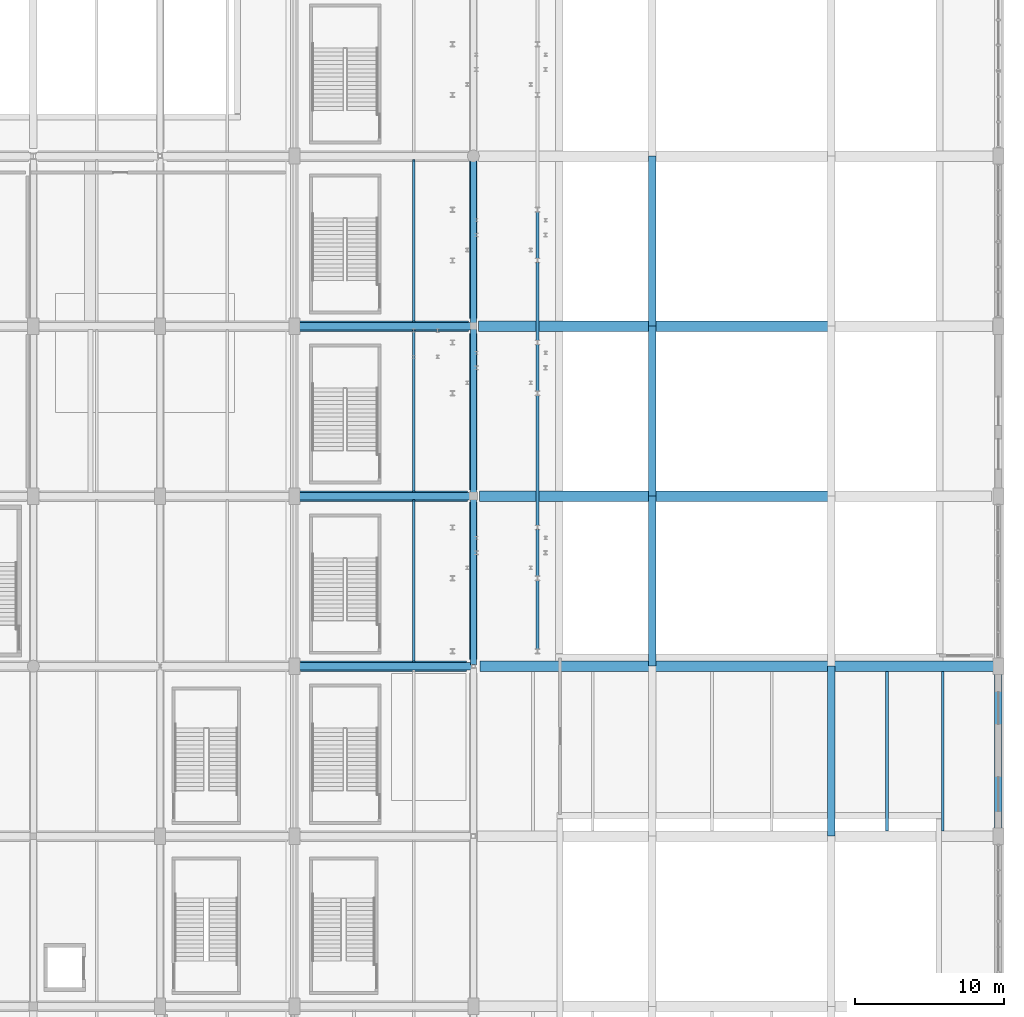
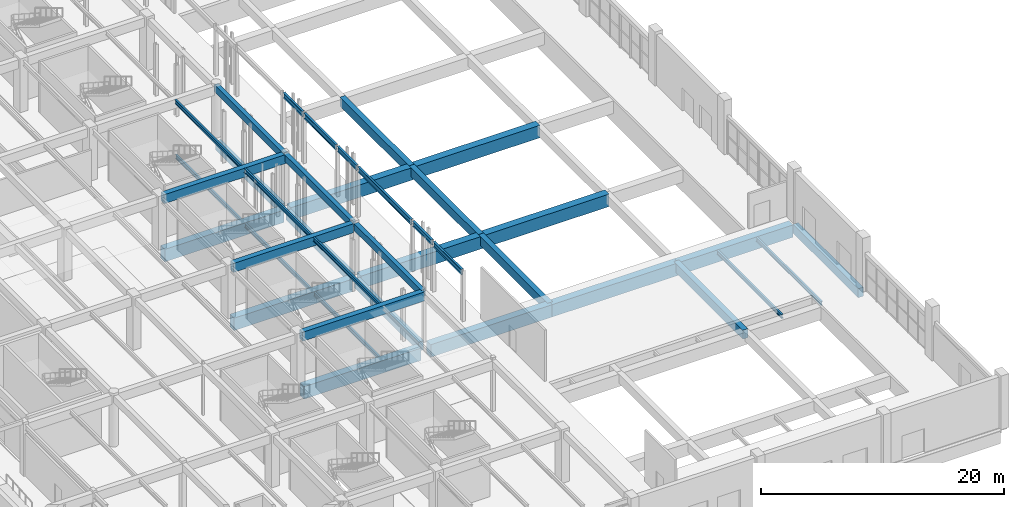
# One storey, part 61 of 113: 38 beams.
"""IFC4 building model written with IfcOpenShell, lengths in metres."""

from ifc_helpers import new_model, si_unit, direction, frame, origin, origin_2d, place, context, subcontext, project, spatial, rectangle, i_section, extrude, material, material_profile, profile_set, type_object, element, save


model = new_model("IFC4")

# Units and contexts
model_context = context("Model", 3, precision=1e-05, world=origin(), true_north=direction((0.0, 1.0)))
body_context = subcontext(model_context, "Body", "Model", "MODEL_VIEW")
ifc_project = project(units=[si_unit("LENGTHUNIT", "METRE"), si_unit("AREAUNIT", "SQUARE_METRE"), si_unit("VOLUMEUNIT", "CUBIC_METRE"), si_unit("PLANEANGLEUNIT", "RADIAN"), si_unit("MASSUNIT", "GRAM", prefix="KILO"), si_unit("POWERUNIT", "WATT"), si_unit("THERMODYNAMICTEMPERATUREUNIT", "KELVIN")], contexts=[model_context])

# Site, building, storey
site_placement = place(None, origin())
site = spatial("IfcSite", under=ifc_project, at=site_placement, CompositionType="ELEMENT")
building_placement = place(site_placement, origin())
building = spatial("IfcBuilding", under=site, at=building_placement, Name="Kelmbourne Parkland Aquatics Centre", CompositionType="ELEMENT")
storey_placement = place(building_placement, origin())
storey = spatial("IfcBuildingStorey", under=building, at=storey_placement, Name="L00", CompositionType="ELEMENT", Elevation=0.0)

# Beams
ifc_material_1 = material(Name="Concrete C40/50", Category="concrete")
ifc_material_profile_1 = material_profile(ifc_material_1, rectangle(XDim=0.5, YDim=0.89990234375, at=origin_2d()), Name="RC 500x900")
ifc_profile_set_1 = profile_set([ifc_material_profile_1], Name="Concrete C40/50")
beam_type_1 = type_object("IfcBeamType", Name="BM-G03", PredefinedType="BEAM", material=ifc_profile_set_1)
beam_1_placement = place(storey_placement, frame((140.0, 35.455078125, -0.72998046875), z_axis=(0.0, 1.0, 0.0), x_axis=(-1.0, 0.0, 0.0)))
element("IfcBeam", 1, at=beam_1_placement, inside=storey, type_object=beam_type_1, Name="Primary girder 05-06 Grid Q (L00)", PredefinedType="BEAM", context=body_context, shape_type="SweptSolid", body=[
    extrude(rectangle(XDim=0.5, YDim=0.89990234375, at=origin_2d()), origin(), (0.0, 0.0, 1.0), 10.5400390625),
])
beam_2_placement = place(storey_placement, frame((140.0, 46.804931640625, -0.72998046875), z_axis=(0.0, 1.0, 0.0), x_axis=(-1.0, 0.0, 0.0)))
element("IfcBeam", 2, at=beam_2_placement, inside=storey, type_object=beam_type_1, Name="Primary girder 06-08 Grid Q (L00)", PredefinedType="BEAM", context=body_context, shape_type="SweptSolid", body=[
    extrude(rectangle(XDim=0.5, YDim=0.89990234375, at=origin_2d()), origin(), (0.0, 0.0, 1.0), 10.489990234375),
])
beam_3_placement = place(storey_placement, frame((140.0, 58.304931640625, -0.72998046875), z_axis=(0.0, 1.0, 0.0), x_axis=(-1.0, 0.0, 0.0)))
element("IfcBeam", 3, at=beam_3_placement, inside=storey, type_object=beam_type_1, Name="Primary girder 08-10 Grid Q (L00)", PredefinedType="BEAM", context=body_context, shape_type="SweptSolid", body=[
    extrude(rectangle(XDim=0.5, YDim=0.89990234375, at=origin_2d()), origin(), (0.0, 0.0, 1.0), 10.565185546875),
])
beam_4_placement = place(storey_placement, frame((152.0, 35.0, -0.72998046875), z_axis=(0.0, 1.0, 0.0), x_axis=(-1.0, 0.0, 0.0)))
element("IfcBeam", 4, at=beam_4_placement, inside=storey, type_object=beam_type_1, Name="Primary girder 05-06 Grid R (L00)", PredefinedType="BEAM", context=body_context, shape_type="SweptSolid", body=[
    extrude(rectangle(XDim=0.5, YDim=0.89990234375, at=origin_2d()), origin(), (0.0, 0.0, 1.0), 11.39990234375),
])
beam_5_placement = place(storey_placement, frame((152.0, 46.39990234375, -0.72998046875), z_axis=(0.0, 1.0, 0.0), x_axis=(-1.0, 0.0, 0.0)))
element("IfcBeam", 5, at=beam_5_placement, inside=storey, type_object=beam_type_1, Name="Primary girder 06-08 Grid R (L00)", PredefinedType="BEAM", context=body_context, shape_type="SweptSolid", body=[
    extrude(rectangle(XDim=0.5, YDim=0.89990234375, at=origin_2d()), origin(), (0.0, 0.0, 1.0), 11.400146484375),
])
for number, where, z_axis, x_axis, name in (
    (6, (152.0, 57.800048828125, -0.72998046875), (0.0, 1.0, 0.0), (-1.0, 0.0, 0.0), "Primary girder 08-10 Grid R (L00)"),
    (7, (164.0, 23.60009765625, -0.72998046875), (0.0, 1.0, 0.0), (-1.0, 0.0, 0.0), "Primary girder 04-05 Grid S (L00)"),
):
    element("IfcBeam", number, at=place(storey_placement, frame(where, z_axis=z_axis, x_axis=x_axis)), inside=storey, type_object=beam_type_1, Name=name, PredefinedType="BEAM", context=body_context, shape_type="SweptSolid", body=[
        extrude(rectangle(XDim=0.5, YDim=0.89990234375, at=origin_2d()), origin(), (0.0, 0.0, 1.0), 11.39990234375),
    ])
beam_6_placement = place(storey_placement, frame((175.199951171875, 24.0048828125, -0.72998046875), z_axis=(0.0, 1.0, 0.0), x_axis=(-1.0, 0.0, 0.0)))
element("IfcBeam", 8, at=beam_6_placement, inside=storey, type_object=beam_type_1, Name="Primary girder 04-05 Grid T (L00)", PredefinedType="BEAM", context=body_context, shape_type="SweptSolid", body=[
    extrude(rectangle(XDim=0.5, YDim=0.89990234375, at=origin_2d()), origin(), (0.0, 0.0, 1.0), 10.715087890625),
])
beam_7_placement = place(storey_placement, frame((128.330078125, 35.0, 4.7099609375), z_axis=(1.0, 0.0, 0.0), x_axis=(0.0, 1.0, 0.0)))
element("IfcBeam", 9, at=beam_7_placement, inside=storey, type_object=beam_type_1, Name="Primary girder P-Q Grid 05 (L01)", PredefinedType="BEAM", context=body_context, shape_type="SweptSolid", body=[
    extrude(rectangle(XDim=0.5, YDim=0.89990234375, at=origin_2d()), origin(), (0.0, 0.0, 1.0), 11.58984375),
])
beam_8_placement = place(storey_placement, frame((128.330078125, 46.39990234375, 4.7099609375), z_axis=(1.0, 0.0, 0.0), x_axis=(0.0, 1.0, 0.0)))
element("IfcBeam", 10, at=beam_8_placement, inside=storey, type_object=beam_type_1, Name="Primary girder P-Q Grid 06 (L01)", PredefinedType="BEAM", context=body_context, shape_type="SweptSolid", body=[
    extrude(rectangle(XDim=0.5, YDim=0.89990234375, at=origin_2d()), origin(), (0.0, 0.0, 1.0), 11.43994140625),
])
beam_9_placement = place(storey_placement, frame((128.330078125, 57.800048828125, 4.7099609375), z_axis=(1.0, 0.0, 0.0), x_axis=(0.0, 1.0, 0.0)))
element("IfcBeam", 11, at=beam_9_placement, inside=storey, type_object=beam_type_1, Name="Primary girder P-Q Grid 08 (L01)", PredefinedType="BEAM", context=body_context, shape_type="SweptSolid", body=[
    extrude(rectangle(XDim=0.5, YDim=0.89990234375, at=origin_2d()), origin(), (0.0, 0.0, 1.0), 11.669921875),
])
ifc_material_profile_2 = material_profile(ifc_material_1, rectangle(XDim=0.39990234375, YDim=0.699951171875, at=origin_2d()), Name="RC 400x700")
ifc_profile_set_2 = profile_set([ifc_material_profile_2], Name="Concrete C40/50")
beam_type_2 = type_object("IfcBeamType", Name="BM-G05", PredefinedType="BEAM", material=ifc_profile_set_2)
beam_10_placement = place(storey_placement, frame((140.0, 35.080078125, 4.81005859375), z_axis=(0.0, 1.0, 0.0), x_axis=(-1.0, 0.0, 0.0)))
element("IfcBeam", 12, at=beam_10_placement, inside=storey, type_object=beam_type_2, Name="Primary girder 05-06 Grid Q (L01)", PredefinedType="BEAM", context=body_context, shape_type="SweptSolid", body=[
    extrude(rectangle(XDim=0.39990234375, YDim=0.699951171875, at=origin_2d()), origin(), (0.0, 0.0, 1.0), 11.08984375),
])
beam_11_placement = place(storey_placement, frame((140.0, 46.6298828125, 4.81005859375), z_axis=(0.0, 1.0, 0.0), x_axis=(-1.0, 0.0, 0.0)))
element("IfcBeam", 13, at=beam_11_placement, inside=storey, type_object=beam_type_2, Name="Primary girder 06-08 Grid Q (L01)", PredefinedType="BEAM", context=body_context, shape_type="SweptSolid", body=[
    extrude(rectangle(XDim=0.39990234375, YDim=0.699951171875, at=origin_2d()), origin(), (0.0, 0.0, 1.0), 11.170166015625),
])
beam_12_placement = place(storey_placement, frame((140.0, 57.800048828125, 4.81005859375), z_axis=(0.0, 1.0, 0.0), x_axis=(-1.0, 0.0, 0.0)))
element("IfcBeam", 14, at=beam_12_placement, inside=storey, type_object=beam_type_2, Name="Primary girder 08-10 Grid Q (L01)", PredefinedType="BEAM", context=body_context, shape_type="SweptSolid", body=[
    extrude(rectangle(XDim=0.39990234375, YDim=0.699951171875, at=origin_2d()), origin(), (0.0, 0.0, 1.0), 11.39990234375),
])
ifc_material_2 = material(Name="Concrete C50/60", Category="concrete")
ifc_material_profile_3 = material_profile(ifc_material_2, rectangle(XDim=0.699951171875, YDim=1.25, at=origin_2d()), Name="RC 700x1250")
ifc_profile_set_3 = profile_set([ifc_material_profile_3], Name="Concrete C50/60")
beam_type_3 = type_object("IfcBeamType", Name="BM-G08", PredefinedType="BEAM", material=ifc_profile_set_3)
beam_13_placement = place(storey_placement, frame((128.405029296875, 35.0, -0.905029296875), z_axis=(1.0, 0.0, 0.0), x_axis=(0.0, 1.0, 0.0)))
element("IfcBeam", 15, at=beam_13_placement, inside=storey, type_object=beam_type_3, Name="Primary girder P-Q Grid 05 (L00)", PredefinedType="BEAM", context=body_context, shape_type="SweptSolid", body=[
    extrude(rectangle(XDim=0.699951171875, YDim=1.25, at=origin_2d()), origin(), (0.0, 0.0, 1.0), 11.139892578125),
])
beam_14_placement = place(storey_placement, frame((140.455078125, 35.0, -0.905029296875), z_axis=(1.0, 0.0, 0.0), x_axis=(0.0, 1.0, 0.0)))
element("IfcBeam", 16, at=beam_14_placement, inside=storey, type_object=beam_type_3, Name="Primary girder Q-R Grid 05 (L00)", PredefinedType="BEAM", context=body_context, shape_type="SweptSolid", body=[
    extrude(rectangle(XDim=0.699951171875, YDim=1.25, at=origin_2d()), origin(), (0.0, 0.0, 1.0), 11.544921875),
])
beam_15_placement = place(storey_placement, frame((152.0, 35.0, -0.905029296875), z_axis=(1.0, 0.0, 0.0), x_axis=(0.0, 1.0, 0.0)))
element("IfcBeam", 17, at=beam_15_placement, inside=storey, type_object=beam_type_3, Name="Primary girder R-S Grid 05 (L00)", PredefinedType="BEAM", context=body_context, shape_type="SweptSolid", body=[
    extrude(rectangle(XDim=0.699951171875, YDim=1.25, at=origin_2d()), origin(), (0.0, 0.0, 1.0), 12.0),
])
beam_16_placement = place(storey_placement, frame((164.0, 35.0, -0.905029296875), z_axis=(1.0, 0.0, 0.0), x_axis=(0.0, 1.0, 0.0)))
element("IfcBeam", 18, at=beam_16_placement, inside=storey, type_object=beam_type_3, Name="Primary girder S-T Grid 05 (L00)", PredefinedType="BEAM", context=body_context, shape_type="SweptSolid", body=[
    extrude(rectangle(XDim=0.699951171875, YDim=1.25, at=origin_2d()), origin(), (0.0, 0.0, 1.0), 10.919921875),
])
beam_17_placement = place(storey_placement, frame((128.330078125, 46.39990234375, -0.905029296875), z_axis=(1.0, 0.0, 0.0), x_axis=(0.0, 1.0, 0.0)))
element("IfcBeam", 19, at=beam_17_placement, inside=storey, type_object=beam_type_3, Name="Primary girder P-Q Grid 06 (L00)", PredefinedType="BEAM", context=body_context, shape_type="SweptSolid", body=[
    extrude(rectangle(XDim=0.699951171875, YDim=1.25, at=origin_2d()), origin(), (0.0, 0.0, 1.0), 11.264892578125),
])
beam_18_placement = place(storey_placement, frame((140.405029296875, 46.39990234375, -0.905029296875), z_axis=(1.0, 0.0, 0.0), x_axis=(0.0, 1.0, 0.0)))
element("IfcBeam", 20, at=beam_18_placement, inside=storey, type_object=beam_type_3, Name="Primary girder Q-R Grid 06 (L00)", PredefinedType="BEAM", context=body_context, shape_type="SweptSolid", body=[
    extrude(rectangle(XDim=0.699951171875, YDim=1.25, at=origin_2d()), origin(), (0.0, 0.0, 1.0), 11.594970703125),
])
beam_19_placement = place(storey_placement, frame((152.0, 46.39990234375, -0.905029296875), z_axis=(1.0, 0.0, 0.0), x_axis=(0.0, 1.0, 0.0)))
element("IfcBeam", 21, at=beam_19_placement, inside=storey, type_object=beam_type_3, Name="Primary girder R-S Grid 06 (L00)", PredefinedType="BEAM", context=body_context, shape_type="SweptSolid", body=[
    extrude(rectangle(XDim=0.699951171875, YDim=1.25, at=origin_2d()), origin(), (0.0, 0.0, 1.0), 12.0),
])
beam_20_placement = place(storey_placement, frame((128.330078125, 57.800048828125, -0.905029296875), z_axis=(1.0, 0.0, 0.0), x_axis=(0.0, 1.0, 0.0)))
element("IfcBeam", 22, at=beam_20_placement, inside=storey, type_object=beam_type_3, Name="Primary girder P-Q Grid 08 (L00)", PredefinedType="BEAM", context=body_context, shape_type="SweptSolid", body=[
    extrude(rectangle(XDim=0.699951171875, YDim=1.25, at=origin_2d()), origin(), (0.0, 0.0, 1.0), 11.33984375),
])
beam_21_placement = place(storey_placement, frame((140.330078125, 57.800048828125, -0.905029296875), z_axis=(1.0, 0.0, 0.0), x_axis=(0.0, 1.0, 0.0)))
element("IfcBeam", 23, at=beam_21_placement, inside=storey, type_object=beam_type_3, Name="Primary girder Q-R Grid 08 (L00)", PredefinedType="BEAM", context=body_context, shape_type="SweptSolid", body=[
    extrude(rectangle(XDim=0.699951171875, YDim=1.25, at=origin_2d()), origin(), (0.0, 0.0, 1.0), 11.669921875),
])
beam_22_placement = place(storey_placement, frame((152.0, 57.800048828125, -0.905029296875), z_axis=(1.0, 0.0, 0.0), x_axis=(0.0, 1.0, 0.0)))
element("IfcBeam", 24, at=beam_22_placement, inside=storey, type_object=beam_type_3, Name="Primary girder R-S Grid 08 (L00)", PredefinedType="BEAM", context=body_context, shape_type="SweptSolid", body=[
    extrude(rectangle(XDim=0.699951171875, YDim=1.25, at=origin_2d()), origin(), (0.0, 0.0, 1.0), 12.0),
])
ifc_material_3 = material(Name="Structural steel AS/NZS 3679.1 Grade 300", Category="steel")
ifc_material_profile_4 = material_profile(ifc_material_3, i_section(OverallWidth=0.177978515625, OverallDepth=0.406005859375, WebThickness=0.0078125, FlangeThickness=0.0126953125, at=origin_2d()), Name="410UB59.7")
ifc_profile_set_4 = profile_set([ifc_material_profile_4], Name="Structural steel AS/NZS 3679.1 Grade 300")
beam_type_4 = type_object("IfcBeamType", Name="BM-J01", PredefinedType="JOIST", material=ifc_profile_set_4)
for number, where, z_axis, x_axis, name in (
    (25, (136.0, 35.342041015625, -0.48291015625), (0.0, 1.0, 0.0), (-1.0, 0.0, 0.0), "Secondary floor joist P-Q/05-06 #2 (L00)"),
    (26, (136.0, 46.741943359375, -0.48291015625), (0.0, 1.0, 0.0), (-1.0, 0.0, 0.0), "Secondary floor joist P-Q/06-08 #2 (L00)"),
):
    element("IfcBeam", number, at=place(storey_placement, frame(where, z_axis=z_axis, x_axis=x_axis)), inside=storey, type_object=beam_type_4, Name=name, PredefinedType="JOIST", context=body_context, shape_type="SweptSolid", body=[
        extrude(i_section(OverallWidth=0.177978515625, OverallDepth=0.406005859375, WebThickness=0.0078125, FlangeThickness=0.0126953125, at=origin_2d()), origin(), (0.0, 0.0, 1.0), 10.716064453125),
    ])
beam_23_placement = place(storey_placement, frame((136.0, 58.14208984375, -0.48291015625), z_axis=(0.0, 1.0, 0.0), x_axis=(-1.0, 0.0, 0.0)))
element("IfcBeam", 27, at=beam_23_placement, inside=storey, type_object=beam_type_4, Name="Secondary floor joist P-Q/08-10 #2 (L00)", PredefinedType="JOIST", context=body_context, shape_type="SweptSolid", body=[
    extrude(i_section(OverallWidth=0.177978515625, OverallDepth=0.406005859375, WebThickness=0.0078125, FlangeThickness=0.0126953125, at=origin_2d()), origin(), (0.0, 0.0, 1.0), 10.7158203125),
])
for number, where, z_axis, x_axis, name in (
    (28, (167.7333984375, 23.94189453125, -0.48291015625), (0.0, 1.0, 0.0), (-1.0, 0.0, 0.0), "Secondary floor joist S-T/04-05 #1 (L00)"),
    (29, (171.466796875, 23.94189453125, -0.48291015625), (0.0, 1.0, 0.0), (-1.0, 0.0, 0.0), "Secondary floor joist S-T/04-05 #2 (L00)"),
):
    element("IfcBeam", number, at=place(storey_placement, frame(where, z_axis=z_axis, x_axis=x_axis)), inside=storey, type_object=beam_type_4, Name=name, PredefinedType="JOIST", context=body_context, shape_type="SweptSolid", body=[
        extrude(i_section(OverallWidth=0.177978515625, OverallDepth=0.406005859375, WebThickness=0.0078125, FlangeThickness=0.0126953125, at=origin_2d()), origin(), (0.0, 0.0, 1.0), 10.716064453125),
    ])
for number, where, z_axis, x_axis, name in (
    (30, (136.0, 35.241943359375, 4.95703125), (0.0, 1.0, 0.0), (-1.0, 0.0, 0.0), "Secondary floor joist P-Q/05-06 #2 (L01)"),
    (31, (136.0, 46.64208984375, 4.95703125), (0.0, 1.0, 0.0), (-1.0, 0.0, 0.0), "Secondary floor joist P-Q/06-08 #2 (L01)"),
    (32, (136.0, 58.0419921875, 4.95703125), (0.0, 1.0, 0.0), (-1.0, 0.0, 0.0), "Secondary floor joist P-Q/08-10 #2 (L01)"),
):
    element("IfcBeam", number, at=place(storey_placement, frame(where, z_axis=z_axis, x_axis=x_axis)), inside=storey, type_object=beam_type_4, Name=name, PredefinedType="JOIST", context=body_context, shape_type="SweptSolid", body=[
        extrude(i_section(OverallWidth=0.177978515625, OverallDepth=0.406005859375, WebThickness=0.0078125, FlangeThickness=0.0126953125, at=origin_2d()), origin(), (0.0, 0.0, 1.0), 10.916015625),
    ])
ifc_material_profile_5 = material_profile(ifc_material_3, i_section(OverallWidth=0.208984375, OverallDepth=0.532958984375, WebThickness=0.01025390625, FlangeThickness=0.015625, at=origin_2d()), Name="530UB92.4")
ifc_profile_set_5 = profile_set([ifc_material_profile_5], Name="Structural steel AS/NZS 3679.1 Grade 300")
beam_type_5 = type_object("IfcBeamType", Name="BM-RAKER", PredefinedType="USERDEFINED", material=ifc_profile_set_5)
beam_24_placement = place(storey_placement, frame((144.300048828125, 36.1201171875, 4.820068359375), z_axis=(0.0, 1.0, 0.0), x_axis=(-1.0, 0.0, 0.0)))
element("IfcBeam", 33, at=beam_24_placement, inside=storey, type_object=beam_type_5, Name="Bowl front tie beam 02", PredefinedType="BEAM", context=body_context, shape_type="SweptSolid", body=[
    extrude(i_section(OverallWidth=0.208984375, OverallDepth=0.532958984375, WebThickness=0.01025390625, FlangeThickness=0.015625, at=origin_2d()), origin(), (0.0, 0.0, 1.0), 4.659912109375),
])
beam_25_placement = place(storey_placement, frame((144.300048828125, 41.02001953125, 4.820068359375), z_axis=(0.0, 1.0, 0.0), x_axis=(-1.0, 0.0, 0.0)))
element("IfcBeam", 34, at=beam_25_placement, inside=storey, type_object=beam_type_5, Name="Bowl front tie beam 03", PredefinedType="BEAM", context=body_context, shape_type="SweptSolid", body=[
    extrude(i_section(OverallWidth=0.208984375, OverallDepth=0.532958984375, WebThickness=0.01025390625, FlangeThickness=0.015625, at=origin_2d()), origin(), (0.0, 0.0, 1.0), 3.159912109375),
])
beam_26_placement = place(storey_placement, frame((144.300048828125, 44.419921875, 4.820068359375), z_axis=(0.0, 1.0, 0.0), x_axis=(-1.0, 0.0, 0.0)))
element("IfcBeam", 35, at=beam_26_placement, inside=storey, type_object=beam_type_5, Name="Bowl front tie beam 04", PredefinedType="BEAM", context=body_context, shape_type="SweptSolid", body=[
    extrude(i_section(OverallWidth=0.208984375, OverallDepth=0.532958984375, WebThickness=0.01025390625, FlangeThickness=0.015625, at=origin_2d()), origin(), (0.0, 0.0, 1.0), 8.760009765625),
])
beam_27_placement = place(storey_placement, frame((144.300048828125, 53.419921875, 4.820068359375), z_axis=(0.0, 1.0, 0.0), x_axis=(-1.0, 0.0, 0.0)))
element("IfcBeam", 36, at=beam_27_placement, inside=storey, type_object=beam_type_5, Name="Bowl front tie beam 05", PredefinedType="BEAM", context=body_context, shape_type="SweptSolid", body=[
    extrude(i_section(OverallWidth=0.208984375, OverallDepth=0.532958984375, WebThickness=0.01025390625, FlangeThickness=0.015625, at=origin_2d()), origin(), (0.0, 0.0, 1.0), 3.16015625),
])
beam_28_placement = place(storey_placement, frame((144.300048828125, 56.820068359375, 4.820068359375), z_axis=(0.0, 1.0, 0.0), x_axis=(-1.0, 0.0, 0.0)))
element("IfcBeam", 37, at=beam_28_placement, inside=storey, type_object=beam_type_5, Name="Bowl front tie beam 06", PredefinedType="BEAM", context=body_context, shape_type="SweptSolid", body=[
    extrude(i_section(OverallWidth=0.208984375, OverallDepth=0.532958984375, WebThickness=0.01025390625, FlangeThickness=0.015625, at=origin_2d()), origin(), (0.0, 0.0, 1.0), 5.260009765625),
])
beam_29_placement = place(storey_placement, frame((144.300048828125, 62.320068359375, 4.820068359375), z_axis=(0.0, 1.0, 0.0), x_axis=(-1.0, 0.0, 0.0)))
element("IfcBeam", 38, at=beam_29_placement, inside=storey, type_object=beam_type_5, Name="Bowl front tie beam 07", PredefinedType="BEAM", context=body_context, shape_type="SweptSolid", body=[
    extrude(i_section(OverallWidth=0.208984375, OverallDepth=0.532958984375, WebThickness=0.01025390625, FlangeThickness=0.015625, at=origin_2d()), origin(), (0.0, 0.0, 1.0), 3.159912109375),
])

save(model, "model.ifc")
